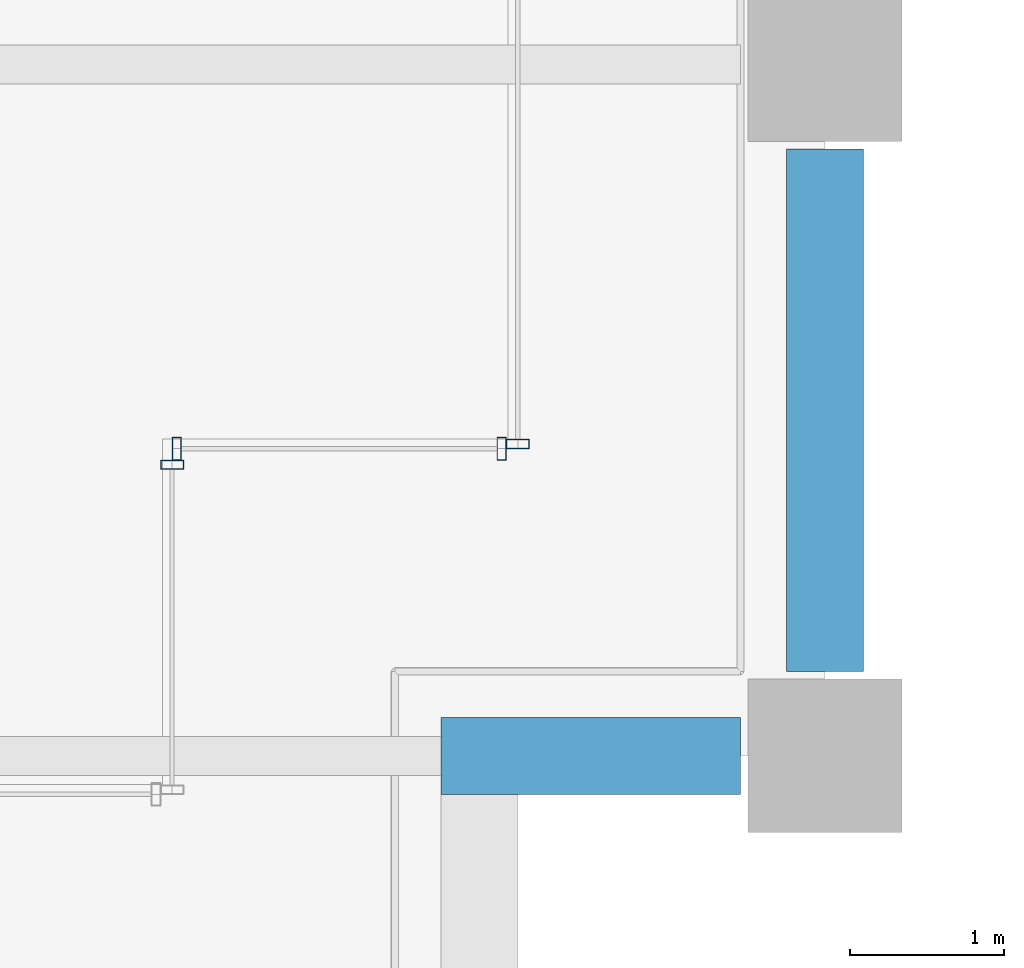
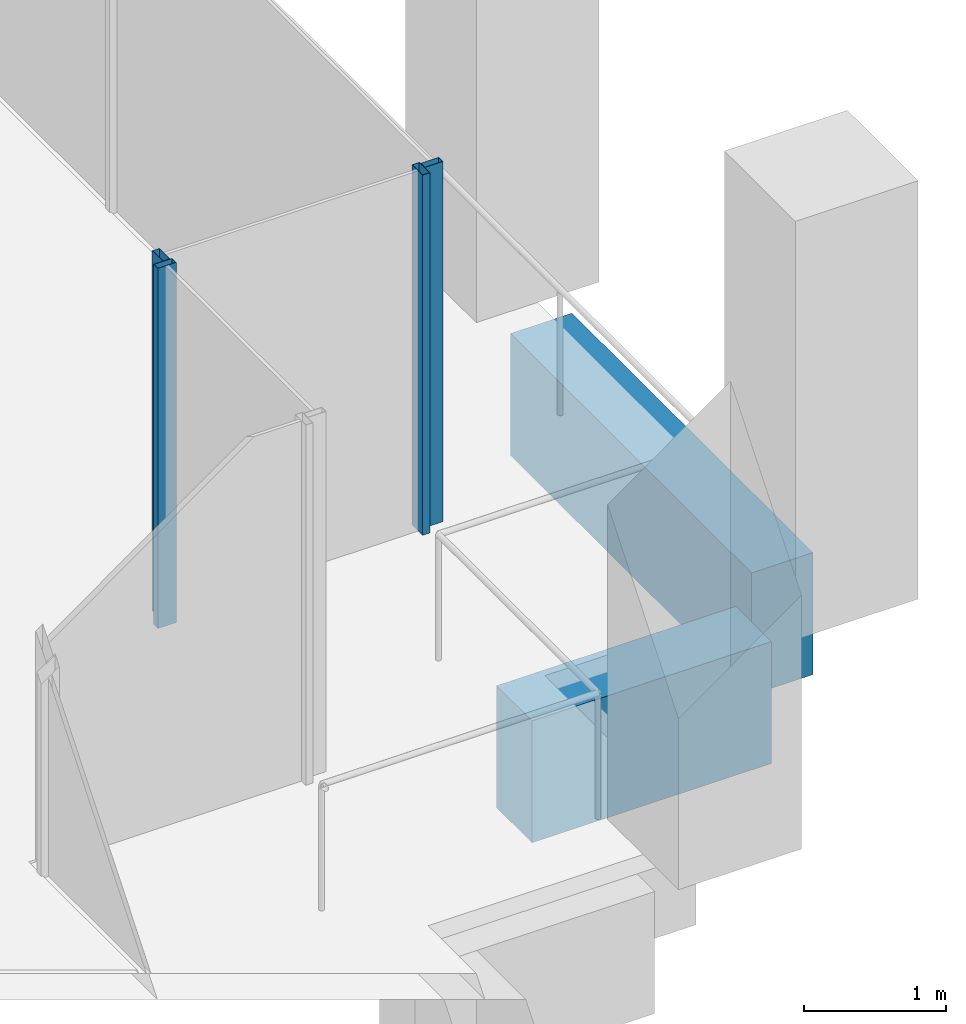
# One storey, part 13 of 52: 4 members, 2 beams, 3 elements without a shape of their own.
"""IFC4 building model written with IfcOpenShell, lengths in metres."""

import ifcopenshell
import ifcopenshell.guid

model = None  # the IFC model being written
_history = None  # IfcOwnerHistory: only IFC2X3 demands one
_inside = {}  # id of a spatial element -> (the spatial element, [elements in it])
_under = {}  # id of a project, library or spatial element -> (it, [spatial elements below it])
_declared = {}  # id of a project -> (the project, [libraries it declares])
_typed = {}  # id of a type object -> (the type object, [elements of that type])
_made_of = {}  # id of a material, layer set ... -> (it, [elements and type objects made of it])


def new_model(schema):
    """Start an empty IFC model of exactly this schema.

    Asked for "IFC4X3", IfcOpenShell would pick the latest addendum, in which some entities
    have other attributes; the version numbers below select the first issue.
    IFC2X3 requires an IfcOwnerHistory on every rooted entity: one is made here for all.
    """
    global model, _history
    if schema == "IFC4X3":
        model = ifcopenshell.file(schema_version=(4, 3, 0, 0))
    else:
        model = ifcopenshell.file(schema=schema)
    _inside.clear()
    _under.clear()
    _declared.clear()
    _typed.clear()
    _made_of.clear()
    _history = None
    if model.schema == "IFC2X3":
        org = make("IfcOrganization", Name="unknown")
        user = make(
            "IfcPersonAndOrganization",
            ThePerson=make("IfcPerson", FamilyName="unknown"),
            TheOrganization=org,
        )
        app = make(
            "IfcApplication",
            ApplicationDeveloper=org,
            Version="unknown",
            ApplicationFullName="unknown",
            ApplicationIdentifier="unknown",
        )
        _history = make(
            "IfcOwnerHistory",
            OwningUser=user,
            OwningApplication=app,
            ChangeAction="ADDED",
            CreationDate=0,
        )
    return model


def make(cls, **values):
    """One entity of the class cls with the attributes given. An attribute that is None is left unset."""
    return model.create_entity(
        cls, **{name: value for name, value in values.items() if value is not None}
    )


def rooted(cls, **values):
    """An entity with a GlobalId (a new one), such as an element, a storey or a relation."""
    return make(cls, GlobalId=ifcopenshell.guid.new(), OwnerHistory=_history, **values)


def si_unit(unit_type, name, prefix=None):
    """IfcSIUnit, for example si_unit("LENGTHUNIT", "METRE", prefix="MILLI")."""
    return make("IfcSIUnit", UnitType=unit_type, Prefix=prefix, Name=name)


def assignment(units):
    """IfcUnitAssignment: the units of a project."""
    return None if units is None else make("IfcUnitAssignment", Units=units)


def point(xyz):
    """IfcCartesianPoint."""
    return None if xyz is None else make("IfcCartesianPoint", Coordinates=xyz)


def direction(xyz):
    """IfcDirection."""
    return None if xyz is None else make("IfcDirection", DirectionRatios=xyz)


def frame(location, z_axis=None, x_axis=None):
    """IfcAxis2Placement3D, a coordinate frame: its origin and axes. An axis left out is left unset."""
    return make(
        "IfcAxis2Placement3D",
        Location=point(location),
        Axis=direction(z_axis),
        RefDirection=direction(x_axis),
    )


def frame_2d(location, x_axis=None):
    """IfcAxis2Placement2D, a coordinate frame in the plane: its origin and x axis."""
    return make(
        "IfcAxis2Placement2D", Location=point(location), RefDirection=direction(x_axis)
    )


def origin():
    """The frame at (0, 0, 0) with its axes left unset."""
    return frame((0.0, 0.0, 0.0))


def origin_2d():
    """The frame at (0, 0) in the plane with its x axis left unset."""
    return frame_2d((0.0, 0.0))


def place(relative_to, where):
    """IfcLocalPlacement: puts the frame where relative to a parent placement (None: the world)."""
    return make(
        "IfcLocalPlacement", PlacementRelTo=relative_to, RelativePlacement=where
    )


def context(
    kind, dimensions, precision=None, world=None, true_north=None, identifier=None
):
    """IfcGeometricRepresentationContext, for example the 3D "Model" context."""
    return make(
        "IfcGeometricRepresentationContext",
        ContextIdentifier=identifier,
        ContextType=kind,
        CoordinateSpaceDimension=dimensions,
        Precision=precision,
        WorldCoordinateSystem=world,
        TrueNorth=true_north,
    )


def subcontext(parent, identifier, kind, view, scale=None):
    """IfcGeometricRepresentationSubContext, for example "Body" below "Model"."""
    return make(
        "IfcGeometricRepresentationSubContext",
        ContextIdentifier=identifier,
        ContextType=kind,
        ParentContext=parent,
        TargetScale=scale,
        TargetView=view,
    )


def project(units=None, contexts=None):
    """IfcProject with its units and contexts."""
    return rooted(
        "IfcProject",
        Name="project",
        RepresentationContexts=contexts,
        UnitsInContext=assignment(units),
    )


def spatial(cls, under=None, at=None, **own):
    """A site, building, storey or space (cls), placed at a placement, below another one or the project."""
    s = rooted(cls, ObjectPlacement=at, **own)
    if under is not None:
        _under.setdefault(under.id(), (under, []))[1].append(s)
    return s


def profile(cls, at=None, kind="AREA", **sizes):
    """A parametric profile (cls). Its sizes go by their IFC names, for example OverallWidth=200.0."""
    return make(cls, ProfileType=kind, Position=at, **sizes)


def rectangle(**sizes):
    """IfcRectangleProfileDef."""
    return profile("IfcRectangleProfileDef", **sizes)


def hollow_rectangle(**sizes):
    """IfcRectangleHollowProfileDef."""
    return profile("IfcRectangleHollowProfileDef", **sizes)


def extrude(swept, where, along, depth):
    """IfcExtrudedAreaSolid: the profile swept, set in the frame where, extruded along a direction by depth."""
    return make(
        "IfcExtrudedAreaSolid",
        SweptArea=swept,
        Position=where,
        ExtrudedDirection=direction(along),
        Depth=depth,
    )


def shape(context_of_items, identifier, shape_type, items):
    """IfcShapeRepresentation: the items that make up one representation, for example the "Body"."""
    return make(
        "IfcShapeRepresentation",
        ContextOfItems=context_of_items,
        RepresentationIdentifier=identifier,
        RepresentationType=shape_type,
        Items=items,
    )


def material(Name=None, Category=None):
    """IfcMaterial."""
    return make("IfcMaterial", Name=Name, Category=Category)


def material_profile(
    of_material, cross_section, Name=None, Category=None, Priority=None
):
    """IfcMaterialProfile: a cross section and its material."""
    return make(
        "IfcMaterialProfile",
        Name=Name,
        Material=of_material,
        Profile=cross_section,
        Priority=Priority,
        Category=Category,
    )


def profile_set(profiles, Name=None, composite=None):
    """IfcMaterialProfileSet."""
    return make(
        "IfcMaterialProfileSet",
        Name=Name,
        MaterialProfiles=profiles,
        CompositeProfile=composite,
    )


def made_of(thing, what):
    """Note that an element or type object is made of a material, layer set ...; save() writes the relation."""
    if what is not None:
        _made_of.setdefault(what.id(), (what, []))[1].append(thing)
    return thing


def type_object(cls, material=None, **own):
    """A type object (cls), such as IfcWallType, which elements share."""
    return made_of(rooted(cls, **own), material)


def element(
    cls,
    number,
    at=None,
    inside=None,
    cuts=None,
    type_object=None,
    material=None,
    context=None,
    identifier="Body",
    shape_type=None,
    held_by="IfcProductDefinitionShape",
    body=None,
    shapes=None,
    **own,
):
    """One element of the class cls, such as IfcWall. Its Tag is "e" and its number.

    at: its placement. inside: the storey or other place that contains it. cuts: it is an
    opening in that element (IfcRelVoidsElement). A single representation is given by context,
    identifier, shape_type and body (its items); several are given by shapes. held_by: the class
    of the entity that holds the representations. save() writes the other relations.
    """
    e = rooted(cls, Tag="e%d" % number, ObjectPlacement=at, **own)
    if body is not None:
        shapes = [shape(context, identifier, shape_type, body)]
    if shapes is not None:
        e.Representation = make(held_by, Representations=shapes)
    if inside is not None:
        _inside.setdefault(inside.id(), (inside, []))[1].append(e)
    if cuts is not None:
        rooted(
            "IfcRelVoidsElement", RelatingBuildingElement=cuts, RelatedOpeningElement=e
        )
    if type_object is not None:
        _typed.setdefault(type_object.id(), (type_object, []))[1].append(e)
    return made_of(e, material)


def aggregate(whole, parts):
    """IfcRelAggregates: a whole, such as a stair, and the parts it consists of."""
    return rooted("IfcRelAggregates", RelatingObject=whole, RelatedObjects=parts)


def save(model, path):
    """Write the relations noted so far, then the file.

    IfcRelAggregates (storeys below a building ...), IfcRelContainedInSpatialStructure (elements
    in a storey), IfcRelDefinesByType, IfcRelAssociatesMaterial and IfcRelDeclares: one each for
    every whole, place, type object, material and project.
    """
    for whole, parts in _under.values():
        aggregate(whole, parts)
    for where, things in _inside.values():
        rooted(
            "IfcRelContainedInSpatialStructure",
            RelatedElements=things,
            RelatingStructure=where,
        )
    for kind, things in _typed.values():
        rooted("IfcRelDefinesByType", RelatedObjects=things, RelatingType=kind)
    for what, things in _made_of.values():
        rooted("IfcRelAssociatesMaterial", RelatedObjects=things, RelatingMaterial=what)
    for by, libraries in _declared.values():
        rooted("IfcRelDeclares", RelatingContext=by, RelatedDefinitions=libraries)
    model.write(path)


model = new_model("IFC4")

# Units and contexts
model_context = context("Model", 3, precision=1e-05, world=origin(), true_north=direction((0.0, 1.0)))
body_context = subcontext(model_context, "Body", "Model", "MODEL_VIEW")
ifc_project = project(units=[si_unit("LENGTHUNIT", "METRE"), si_unit("AREAUNIT", "SQUARE_METRE"), si_unit("VOLUMEUNIT", "CUBIC_METRE"), si_unit("PLANEANGLEUNIT", "RADIAN"), si_unit("MASSUNIT", "GRAM", prefix="KILO")], contexts=[model_context])

# Site, building, storey
site_placement = place(None, origin())
site = spatial("IfcSite", under=ifc_project, at=site_placement, CompositionType="ELEMENT")
building_placement = place(site_placement, origin())
building = spatial("IfcBuilding", under=site, at=building_placement, Name="Altepetl Exchange Towers", CompositionType="ELEMENT")
storey_placement = place(building_placement, frame((0.0, 0.0, 92.0)))
storey = spatial("IfcBuildingStorey", under=building, at=storey_placement, Name="L22", CompositionType="ELEMENT", Elevation=92.0)

# Curtain wall, member
ifc_material_1 = material(Name="Aluminium 6063-T6 glazing", Category="aluminium")
curtain_wall_type = type_object("IfcCurtainWallType", Name="Loggia glazing system", PredefinedType="NOTDEFINED", material=ifc_material_1)
curtain_wall_1_placement = place(storey_placement, origin())
curtain_wall_1 = element("IfcCurtainWall", 1, at=curtain_wall_1_placement, inside=storey, type_object=curtain_wall_type, Name="CW1 run", PredefinedType="NOTDEFINED")
ifc_material_2 = material(Name="Aluminium 6063-T6", Category="aluminium")
ifc_material_profile_1 = material_profile(ifc_material_2, hollow_rectangle(XDim=0.06005859375, YDim=0.14990234375, WallThickness=0.0029296875, at=origin_2d()), Name="Mullion 60x150 aluminium")
ifc_profile_set_1 = profile_set([ifc_material_profile_1], Name="Aluminium 6063-T6")
member_type = type_object("IfcMemberType", Name="Mullion 60x150 aluminium", PredefinedType="MULLION", material=ifc_profile_set_1)
member_1_placement = place(storey_placement, frame((67.75, 33.39501953125, 0.0), z_axis=(0.0, 0.0, 1.0), x_axis=(0.0, 1.0, 0.0)))
member_1 = element("IfcMember", 2, at=member_1_placement, type_object=member_type, Name="MU1 mullion", PredefinedType="MULLION", context=body_context, shape_type="SweptSolid", body=[
    extrude(hollow_rectangle(XDim=0.06005859375, YDim=0.14990234375, WallThickness=0.0029296875, at=origin_2d()), origin(), (0.0, 0.0, 1.0), 3.10009765625),
])
aggregate(curtain_wall_1, [member_1])

# Curtain wall, members
curtain_wall_2_placement = place(storey_placement, origin())
curtain_wall_2 = element("IfcCurtainWall", 3, at=curtain_wall_2_placement, inside=storey, type_object=curtain_wall_type, Name="CW1 run", PredefinedType="NOTDEFINED")
member_2_placement = place(storey_placement, frame((67.780029296875, 33.5, 0.0)))
member_2 = element("IfcMember", 4, at=member_2_placement, type_object=member_type, Name="MU1 mullion", PredefinedType="MULLION", context=body_context, shape_type="SweptSolid", body=[
    extrude(hollow_rectangle(XDim=0.06005859375, YDim=0.14990234375, WallThickness=0.0029296875, at=origin_2d()), origin(), (0.0, 0.0, 1.0), 3.10009765625),
])
member_3_placement = place(storey_placement, frame((69.89501953125, 33.5, 0.0)))
member_3 = element("IfcMember", 5, at=member_3_placement, type_object=member_type, Name="MU1 mullion", PredefinedType="MULLION", context=body_context, shape_type="SweptSolid", body=[
    extrude(hollow_rectangle(XDim=0.06005859375, YDim=0.14990234375, WallThickness=0.0029296875, at=origin_2d()), origin(), (0.0, 0.0, 1.0), 3.10009765625),
])
aggregate(curtain_wall_2, [member_2, member_3])

# Curtain wall, member
curtain_wall_3_placement = place(storey_placement, origin())
curtain_wall_3 = element("IfcCurtainWall", 6, at=curtain_wall_3_placement, inside=storey, type_object=curtain_wall_type, Name="CW1 run", PredefinedType="NOTDEFINED")
member_4_placement = place(storey_placement, frame((70.0, 33.530029296875, 0.0), z_axis=(0.0, 0.0, 1.0), x_axis=(0.0, 1.0, 0.0)))
member_4 = element("IfcMember", 7, at=member_4_placement, type_object=member_type, Name="MU1 mullion", PredefinedType="MULLION", context=body_context, shape_type="SweptSolid", body=[
    extrude(hollow_rectangle(XDim=0.06005859375, YDim=0.14990234375, WallThickness=0.0029296875, at=origin_2d()), origin(), (0.0, 0.0, 1.0), 3.10009765625),
])
aggregate(curtain_wall_3, [member_4])

# Beams
ifc_material_3 = material(Name="Concrete C50/60 precast with cantera amarilla facing", Category="concrete")
ifc_material_profile_2 = material_profile(ifc_material_3, rectangle(XDim=0.5, YDim=1.050048828125, at=origin_2d()), Name="500 x 1050")
ifc_profile_set_2 = profile_set([ifc_material_profile_2], Name="Concrete C50/60 precast with cantera amarilla facing")
beam_type = type_object("IfcBeamType", Name="Spandrel beam 500x1050 cantera amarilla", PredefinedType="SPANDREL", material=ifc_profile_set_2)
beam_1_placement = place(storey_placement, frame((69.5, 31.5, -0.675048828125), z_axis=(1.0, 0.0, 0.0), x_axis=(0.0, 1.0, 0.0)))
element("IfcBeam", 8, at=beam_1_placement, inside=storey, type_object=beam_type, Name="sp:A:L22:011", PredefinedType="SPANDREL", context=body_context, shape_type="SweptSolid", body=[
    extrude(rectangle(XDim=0.5, YDim=1.050048828125, at=origin_2d()), origin(), (0.0, 0.0, 1.0), 1.949951171875),
])
beam_2_placement = place(storey_placement, frame((72.0, 32.050048828125, -0.675048828125), z_axis=(0.0, 1.0, 0.0), x_axis=(-1.0, 0.0, 0.0)))
element("IfcBeam", 9, at=beam_2_placement, inside=storey, type_object=beam_type, Name="sp:A:L22:012", PredefinedType="SPANDREL", context=body_context, shape_type="SweptSolid", body=[
    extrude(rectangle(XDim=0.5, YDim=1.050048828125, at=origin_2d()), origin(), (0.0, 0.0, 1.0), 3.39990234375),
])

save(model, "model.ifc")
